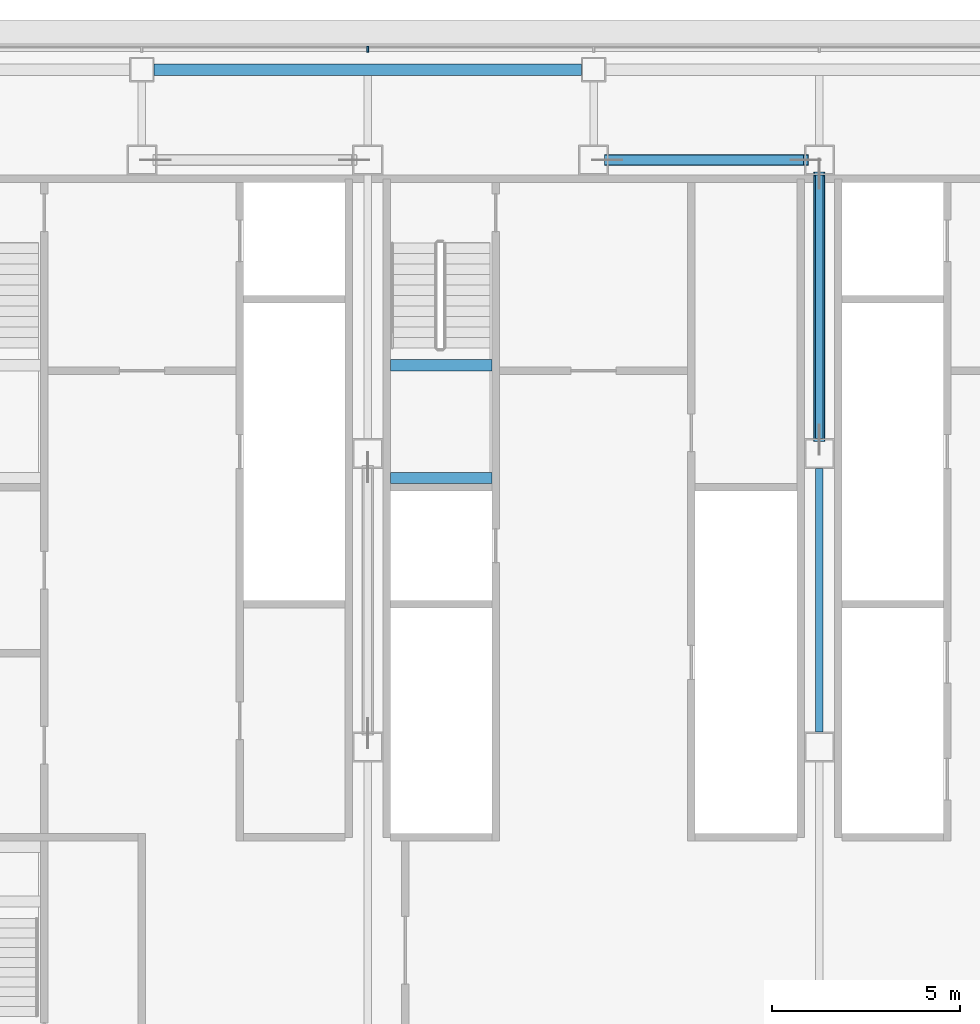
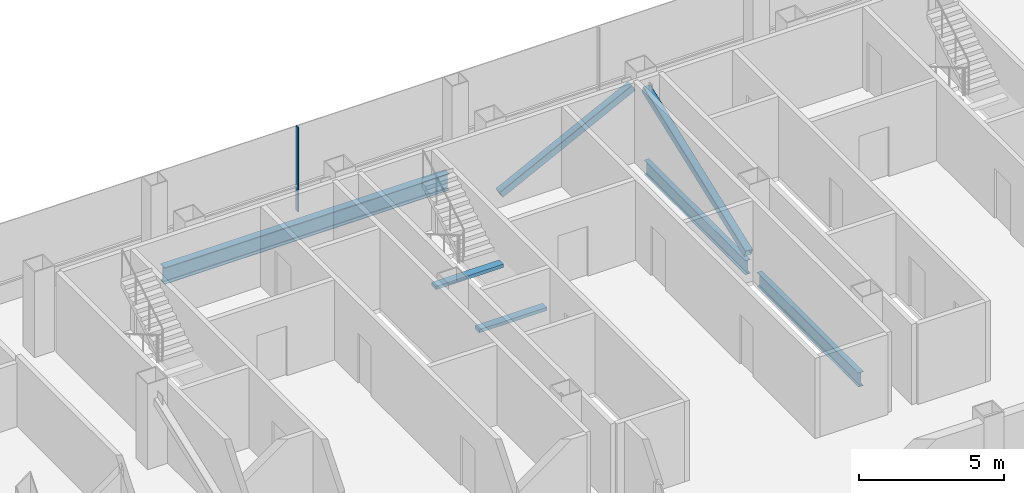
# One storey, part 13 of 27: 5 beams, 3 members, 1 element without a shape of its own.
"""IFC4 building model written with IfcOpenShell, lengths in metres."""

from ifc_helpers import new_model, si_unit, direction, frame, origin, origin_2d, place, context, subcontext, project, spatial, rectangle, hollow_rectangle, i_section, extrude, material, material_profile, profile_set, type_object, element, aggregate, save


model = new_model("IFC4")

# Units and contexts
model_context = context("Model", 3, precision=1e-05, world=origin(), true_north=direction((0.0, 1.0)))
body_context = subcontext(model_context, "Body", "Model", "MODEL_VIEW")
ifc_project = project(units=[si_unit("LENGTHUNIT", "METRE"), si_unit("AREAUNIT", "SQUARE_METRE"), si_unit("VOLUMEUNIT", "CUBIC_METRE"), si_unit("PLANEANGLEUNIT", "RADIAN"), si_unit("MASSUNIT", "GRAM", prefix="KILO")], contexts=[model_context])

# Site, building, storey
site_placement = place(None, origin())
site = spatial("IfcSite", under=ifc_project, at=site_placement, CompositionType="ELEMENT")
building_placement = place(site_placement, origin())
building = spatial("IfcBuilding", under=site, at=building_placement, Name="Sorahane Residences", CompositionType="ELEMENT")
storey_placement = place(building_placement, frame((0.0, 0.0, 206.39990234375)))
storey = spatial("IfcBuildingStorey", under=building, at=storey_placement, Name="L48", CompositionType="ELEMENT", Elevation=206.39990234375)

# Members
ifc_material_1 = material(Name="Steel Q355B", Category="steel")
ifc_material_profile_1 = material_profile(ifc_material_1, hollow_rectangle(XDim=0.300048828125, YDim=0.300048828125, WallThickness=0.01611328125, InnerFilletRadius=0.008056640625, OuterFilletRadius=0.02392578125, at=origin_2d()), Name="RHS 300x300x16")
ifc_profile_set_1 = profile_set([ifc_material_profile_1], Name="Steel Q355B")
member_type_1 = type_object("IfcMemberType", Name="Core brace RHS 300x300x16 Q355B", PredefinedType="BRACE", material=ifc_profile_set_1)
member_1_placement = place(storey_placement, frame((24.359375, 45.60009765625, 0.129638671875), z_axis=(0.892371710858, 0.0, 0.451301151849), x_axis=(0.0, 1.0, 0.0)))
element("IfcMember", 1, at=member_1_placement, inside=storey, type_object=member_type_1, Name="Core brace L48 y45.6-4", PredefinedType="BRACE", context=body_context, shape_type="SweptSolid", body=[
    extrude(hollow_rectangle(XDim=0.300048828125, YDim=0.300048828125, WallThickness=0.01611328125, InnerFilletRadius=0.008056640625, OuterFilletRadius=0.02392578125, at=origin_2d()), origin(), (0.0, 0.0, 1.0), 5.918212890625),
])
member_2_placement = place(storey_placement, frame((30.0, 38.16845703125, 0.13818359375), z_axis=(0.0, 0.936106926968, 0.351715540291), x_axis=(-1.0, 0.0, 0.0)))
element("IfcMember", 2, at=member_2_placement, inside=storey, type_object=member_type_1, Name="Core brace L48 x30-2", PredefinedType="BRACE", context=body_context, shape_type="SweptSolid", body=[
    extrude(hollow_rectangle(XDim=0.300048828125, YDim=0.300048828125, WallThickness=0.01611328125, InnerFilletRadius=0.008056640625, OuterFilletRadius=0.02392578125, at=origin_2d()), origin(), (0.0, 0.0, 1.0), 7.54541015625),
])

# Curtain wall, member
ifc_material_2 = material(Name="Dark low-e glass and black anodised aluminium", Category="aluminium")
curtain_wall_type = type_object("IfcCurtainWallType", Name="Curtain wall CW-1 Typical unitised wall", PredefinedType="NOTDEFINED", material=ifc_material_2)
curtain_wall_placement = place(storey_placement, origin())
curtain_wall = element("IfcCurtainWall", 3, at=curtain_wall_placement, inside=storey, type_object=curtain_wall_type, Name="CW-1 curtain wall L48 N1", PredefinedType="NOTDEFINED")
ifc_material_3 = material(Name="Black anodised aluminium", Category="aluminium")
ifc_material_profile_2 = material_profile(ifc_material_3, rectangle(XDim=0.159912109375, YDim=0.050048828125, at=origin_2d()), Name="Curtain wall mullion CW-1 black anodised aluminium 50x160")
ifc_profile_set_2 = profile_set([ifc_material_profile_2], Name="Black anodised aluminium")
member_type_2 = type_object("IfcMemberType", Name="Curtain wall mullion CW-1 black anodised aluminium 50x160", PredefinedType="MULLION", material=ifc_profile_set_2)
member_3_placement = place(storey_placement, frame((18.0, 48.5400390625, -0.179931640625), z_axis=(0.0, 0.0, 1.0), x_axis=(0.0, 1.0, 0.0)))
member_3 = element("IfcMember", 4, at=member_3_placement, type_object=member_type_2, Name="CW-1 mullion L48 N1.6", PredefinedType="MULLION", context=body_context, shape_type="SweptSolid", body=[
    extrude(rectangle(XDim=0.159912109375, YDim=0.050048828125, at=origin_2d()), origin(), (0.0, 0.0, 1.0), 3.56005859375),
])
aggregate(curtain_wall, [member_3])

# Beams
ifc_material_4 = material(Name="Concrete C40", Category="concrete")
ifc_material_profile_3 = material_profile(ifc_material_4, rectangle(XDim=0.300048828125, YDim=0.139892578125, at=origin_2d()), Name="300x140")
ifc_profile_set_3 = profile_set([ifc_material_profile_3], Name="Concrete C40")
beam_type_1 = type_object("IfcBeamType", Name="RC landing beam 300 x 140 Concrete C40", PredefinedType="BEAM", material=ifc_profile_set_3)
for number, where, z_axis, x_axis, name in (
    (5, (18.60009765625, 37.14990234375, 1.530029296875), (1.0, 0.0, 0.0), (0.0, 1.0, 0.0), "Landing beam"),
    (6, (18.60009765625, 40.14990234375, 1.530029296875), (1.0, 0.0, 0.0), (0.0, 1.0, 0.0), "Landing beam"),
):
    element("IfcBeam", number, at=place(storey_placement, frame(where, z_axis=z_axis, x_axis=x_axis)), inside=storey, type_object=beam_type_1, Name=name, PredefinedType="BEAM", context=body_context, shape_type="SweptSolid", body=[
        extrude(rectangle(XDim=0.300048828125, YDim=0.139892578125, at=origin_2d()), origin(), (0.0, 0.0, 1.0), 2.699951171875),
    ])
ifc_material_5 = material(Name="Steel Q355B", Category="steel")
ifc_material_profile_4 = material_profile(ifc_material_5, i_section(OverallWidth=0.199951171875, OverallDepth=0.60009765625, WebThickness=0.010986328125, FlangeThickness=0.01708984375, FilletRadius=0.02392578125, at=origin_2d()), Name="HN 600x200x11x17")
ifc_profile_set_4 = profile_set([ifc_material_profile_4], Name="Steel Q355B")
beam_type_2 = type_object("IfcBeamType", Name="Steel floor beam HN 600x200x11x17 Q355B", PredefinedType="BEAM", material=ifc_profile_set_4)
for number, where, z_axis, x_axis, name in (
    (7, (30.0, 30.39990234375, -0.47998046875), (0.0, 1.0, 0.0), (-1.0, 0.0, 0.0), "Beam L48 047"),
    (8, (30.0, 38.199951171875, -0.47998046875), (0.0, 1.0, 0.0), (-1.0, 0.0, 0.0), "Beam L48 048"),
):
    element("IfcBeam", number, at=place(storey_placement, frame(where, z_axis=z_axis, x_axis=x_axis)), inside=storey, type_object=beam_type_2, Name=name, PredefinedType="BEAM", context=body_context, shape_type="SweptSolid", body=[
        extrude(i_section(OverallWidth=0.199951171875, OverallDepth=0.60009765625, WebThickness=0.010986328125, FlangeThickness=0.01708984375, FilletRadius=0.02392578125, at=origin_2d()), origin(), (0.0, 0.0, 1.0), 7.0),
    ])
ifc_material_6 = material(Name="Steel Q355B", Category="steel")
ifc_material_profile_5 = material_profile(ifc_material_6, i_section(OverallWidth=0.300048828125, OverallDepth=0.699951171875, WebThickness=0.012939453125, FlangeThickness=0.02392578125, FilletRadius=0.028076171875, at=origin_2d()), Name="HN 700x300x13x24")
ifc_profile_set_5 = profile_set([ifc_material_profile_5], Name="Steel Q355B")
beam_type_3 = type_object("IfcBeamType", Name="Steel floor beam HN 700x300x13x24 Q355B", PredefinedType="BEAM", material=ifc_profile_set_5)
beam_placement = place(storey_placement, frame((12.324951171875, 48.0, -0.52978515625), z_axis=(1.0, 0.0, 0.0), x_axis=(0.0, 1.0, 0.0)))
element("IfcBeam", 9, at=beam_placement, inside=storey, type_object=beam_type_3, Name="Beam L48 017", PredefinedType="BEAM", context=body_context, shape_type="SweptSolid", body=[
    extrude(i_section(OverallWidth=0.300048828125, OverallDepth=0.699951171875, WebThickness=0.012939453125, FlangeThickness=0.02392578125, FilletRadius=0.028076171875, at=origin_2d()), origin(), (0.0, 0.0, 1.0), 11.35009765625),
])

save(model, "model.ifc")
